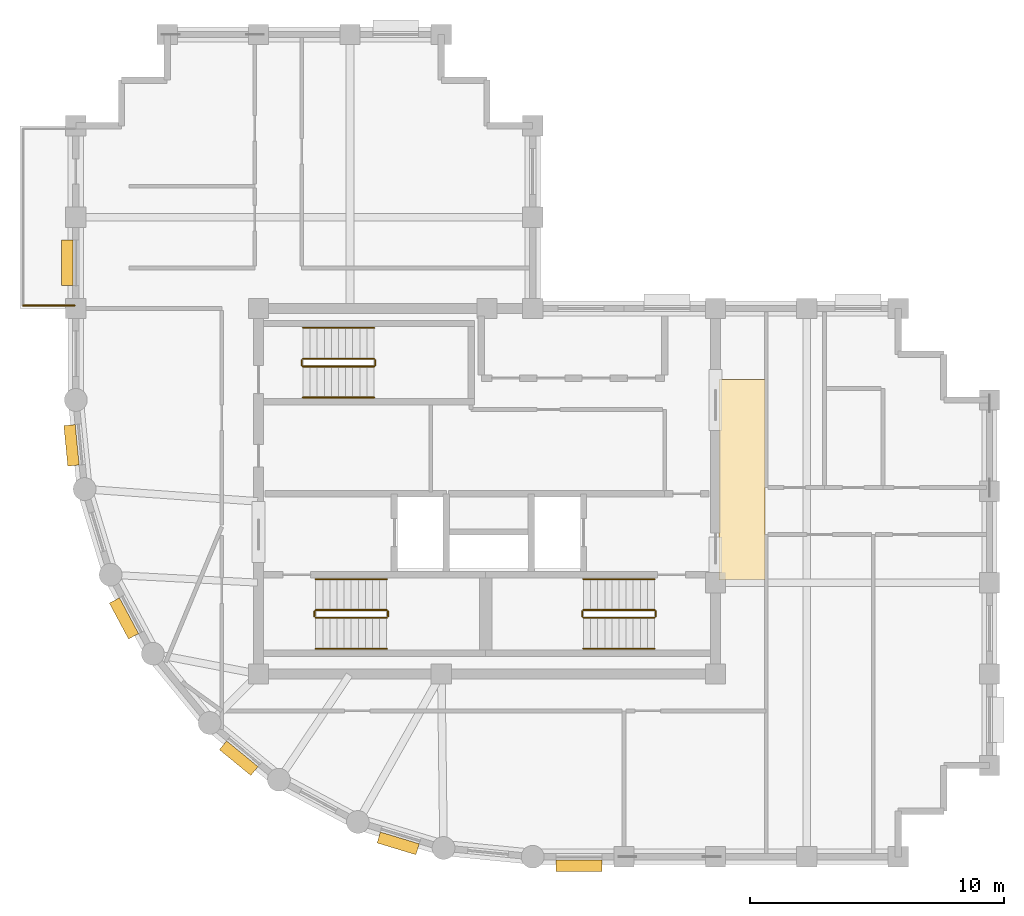
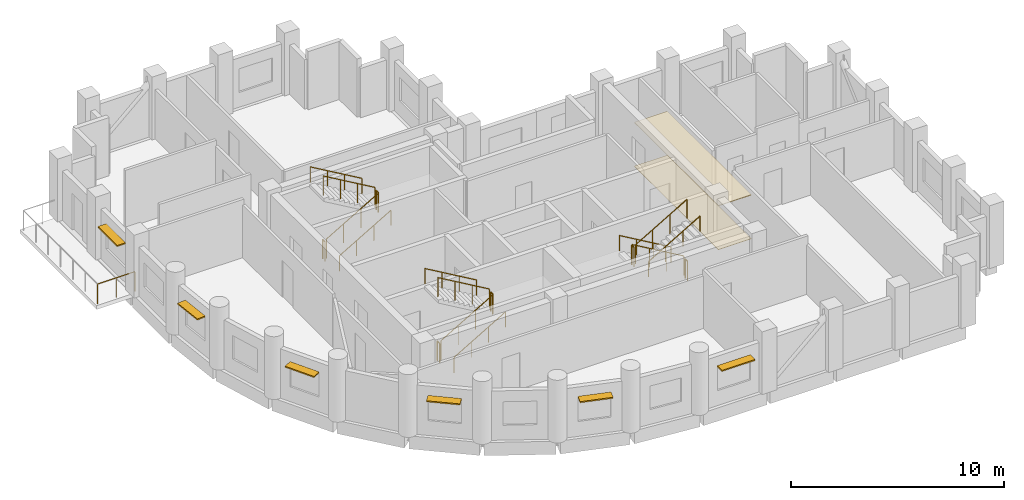
# One storey, part 6 of 7: 19 railings, 6 shading devices, 2 coverings.
"""IFC4 building model written with IfcOpenShell, lengths in metres."""

from ifc_helpers import new_model, si_unit, direction, frame, origin, origin_2d, place, context, subcontext, project, spatial, polyline, rectangle, circle, outline, extrude, material, layer, layer_set, type_object, element, save


model = new_model("IFC4")

# Units and contexts
model_context = context("Model", 3, precision=1e-05, world=origin(), true_north=direction((0.0, 1.0)))
body_context = subcontext(model_context, "Body", "Model", "MODEL_VIEW")
ifc_project = project(units=[si_unit("LENGTHUNIT", "METRE"), si_unit("AREAUNIT", "SQUARE_METRE"), si_unit("VOLUMEUNIT", "CUBIC_METRE"), si_unit("PLANEANGLEUNIT", "RADIAN"), si_unit("MASSUNIT", "GRAM", prefix="KILO")], contexts=[model_context])

# Site, building, storey
site_placement = place(None, origin())
site = spatial("IfcSite", under=ifc_project, at=site_placement, CompositionType="ELEMENT")
building_placement = place(site_placement, origin())
building = spatial("IfcBuilding", under=site, at=building_placement, Name="Solnavia Interchange Tower", CompositionType="ELEMENT")
storey_placement = place(building_placement, frame((0.0, 0.0, 266.60009765625)))
storey = spatial("IfcBuildingStorey", under=building, at=storey_placement, Name="L67", CompositionType="ELEMENT", Elevation=266.60009765625)

# Coverings
ifc_material_1 = material(Name="Perforated Mineral-Fibre & Gypsum Ceiling", Category="gypsum")
ifc_layer_1 = layer(ifc_material_1, 0.0400390625)
ifc_layer_set_1 = layer_set([ifc_layer_1], Name="Perforated Mineral-Fibre & Gypsum Ceiling")
covering_type_1 = type_object("IfcCoveringType", Name="Covering-Ceiling-Acoustic40", PredefinedType="CEILING", material=ifc_layer_set_1)
covering_1_placement = place(storey_placement, frame((0.0, 0.0, 2.5)))
element("IfcCovering", 1, at=covering_1_placement, inside=storey, type_object=covering_type_1, Name="CLG-L67-01 Circulation suspended acoustic ceiling", PredefinedType="CEILING", context=body_context, shape_type="SweptSolid", body=[
    extrude(outline(polyline([(32.550048828125, 14.5), (34.35009765625, 14.5), (34.35009765625, 22.39990234375), (32.550048828125, 22.39990234375), (32.550048828125, 14.5)])), origin(), (0.0, 0.0, 1.0), 0.039794921875),
])
ifc_material_2 = material(Name="Engineered European Oak Flooring", Category="wood")
ifc_layer_2 = layer(ifc_material_2, 0.02001953125)
ifc_layer_set_2 = layer_set([ifc_layer_2], Name="Engineered European Oak Flooring")
covering_type_2 = type_object("IfcCoveringType", Name="Covering-Flooring-Timber20", PredefinedType="FLOORING", material=ifc_layer_set_2)
covering_2_placement = place(storey_placement, origin())
element("IfcCovering", 2, at=covering_2_placement, inside=storey, type_object=covering_type_2, Name="FLR-L67-01 Circulation floor finish", PredefinedType="FLOORING", context=body_context, shape_type="SweptSolid", body=[
    extrude(outline(polyline([(32.550048828125, 14.5), (34.35009765625, 14.5), (34.35009765625, 22.39990234375), (32.550048828125, 22.39990234375), (32.550048828125, 14.5)])), origin(), (0.0, 0.0, 1.0), 0.02001953125),
])

# Railings
ifc_material_3 = material(Name="Painted Steel Balustrade", Category="steel")
railing_type_1 = type_object("IfcRailingType", Name="Railing-StairGuard-1100", PredefinedType="GUARDRAIL", material=ifc_material_3)
railing_1_placement = place(storey_placement, frame((16.64990234375, 13.02001953125, 0.16357421875)))
element("IfcRailing", 3, at=railing_1_placement, inside=storey, type_object=railing_type_1, Name="L67 ST-1 stair guard 1", PredefinedType="GUARDRAIL", context=body_context, shape_type="SweptSolid", body=[
    extrude(circle(Radius=0.02392578125, at=origin_2d()), frame((0.0, 0.0, 1.09619140625), z_axis=(0.863393664356, 0.0, 0.504530851732), x_axis=(0.0, 1.0, 0.0)), (0.0, 0.0, 1.0), 3.2431640625),
    extrude(circle(Radius=0.02099609375, at=origin_2d()), origin(), (0.0, 0.0, 1.0), 1.072021484375),
    extrude(circle(Radius=0.02099609375, at=origin_2d()), frame((0.933349609375, 0.0, 0.54541015625)), (0.0, 0.0, 1.0), 1.072021484375),
    extrude(circle(Radius=0.02099609375, at=origin_2d()), frame((1.86669921875, 0.0, 1.0908203125)), (0.0, 0.0, 1.0), 1.072021484375),
    extrude(circle(Radius=0.02099609375, at=origin_2d()), frame((2.800048828125, 0.0, 1.63623046875)), (0.0, 0.0, 1.0), 1.072021484375),
])
railing_2_placement = place(storey_placement, frame((19.5, 13.070068359375, 1.7998046875)))
element("IfcRailing", 4, at=railing_2_placement, inside=storey, type_object=railing_type_1, Name="L67 ST-1 stair guard 2", PredefinedType="GUARDRAIL", context=body_context, shape_type="SweptSolid", body=[
    extrude(circle(Radius=0.02392578125, at=origin_2d()), frame((0.0, 0.0, 1.09619140625), z_axis=(0.0, 1.0, 0.0), x_axis=(-1.0, 0.0, 0.0)), (0.0, 0.0, 1.0), 0.199951171875),
    extrude(circle(Radius=0.02099609375, at=origin_2d()), origin(), (0.0, 0.0, 1.0), 1.072021484375),
    extrude(circle(Radius=0.02099609375, at=origin_2d()), frame((0.0, 0.199951171875, 0.0)), (0.0, 0.0, 1.0), 1.072021484375),
])
railing_3_placement = place(storey_placement, frame((19.449951171875, 13.320068359375, 1.963623046875)))
element("IfcRailing", 5, at=railing_3_placement, inside=storey, type_object=railing_type_1, Name="L67 ST-1 stair guard 3", PredefinedType="GUARDRAIL", context=body_context, shape_type="SweptSolid", body=[
    extrude(circle(Radius=0.02392578125, at=origin_2d()), frame((0.0, 0.0, 1.09619140625), z_axis=(-0.863393664356, 0.0, 0.504530851732), x_axis=(0.0, -1.0, 0.0)), (0.0, 0.0, 1.0), 3.2431640625),
    extrude(circle(Radius=0.02099609375, at=origin_2d()), origin(), (0.0, 0.0, 1.0), 1.072021484375),
    extrude(circle(Radius=0.02099609375, at=origin_2d()), frame((-0.933349609375, 0.0, 0.54541015625)), (0.0, 0.0, 1.0), 1.072021484375),
    extrude(circle(Radius=0.02099609375, at=origin_2d()), frame((-1.86669921875, 0.0, 1.0908203125)), (0.0, 0.0, 1.0), 1.072021484375),
    extrude(circle(Radius=0.02099609375, at=origin_2d()), frame((-2.800048828125, 0.0, 1.63623046875)), (0.0, 0.0, 1.0), 1.072021484375),
])
railing_4_placement = place(storey_placement, frame((16.60009765625, 13.070068359375, 0.0)))
element("IfcRailing", 6, at=railing_4_placement, inside=storey, type_object=railing_type_1, Name="L67 ST-1 stair guard 4", PredefinedType="GUARDRAIL", context=body_context, shape_type="SweptSolid", body=[
    extrude(circle(Radius=0.02392578125, at=origin_2d()), frame((0.0, 0.0, 1.09619140625), z_axis=(0.0, 1.0, 0.0), x_axis=(-1.0, 0.0, 0.0)), (0.0, 0.0, 1.0), 0.199951171875),
    extrude(circle(Radius=0.02099609375, at=origin_2d()), origin(), (0.0, 0.0, 1.0), 1.072021484375),
    extrude(circle(Radius=0.02099609375, at=origin_2d()), frame((0.0, 0.199951171875, 0.0)), (0.0, 0.0, 1.0), 1.072021484375),
])
railing_5_placement = place(storey_placement, frame((30.0, 13.320068359375, 0.16357421875)))
element("IfcRailing", 7, at=railing_5_placement, inside=storey, type_object=railing_type_1, Name="L67 ST-2 stair guard 1", PredefinedType="GUARDRAIL", context=body_context, shape_type="SweptSolid", body=[
    extrude(circle(Radius=0.02392578125, at=origin_2d()), frame((0.0, 0.0, 1.09619140625), z_axis=(-0.863393664356, 0.0, 0.504530851732), x_axis=(0.0, -1.0, 0.0)), (0.0, 0.0, 1.0), 3.2431640625),
    extrude(circle(Radius=0.02099609375, at=origin_2d()), origin(), (0.0, 0.0, 1.0), 1.072021484375),
    extrude(circle(Radius=0.02099609375, at=origin_2d()), frame((-0.933349609375, 0.0, 0.54541015625)), (0.0, 0.0, 1.0), 1.072021484375),
    extrude(circle(Radius=0.02099609375, at=origin_2d()), frame((-1.86669921875, 0.0, 1.0908203125)), (0.0, 0.0, 1.0), 1.072021484375),
    extrude(circle(Radius=0.02099609375, at=origin_2d()), frame((-2.800048828125, 0.0, 1.63623046875)), (0.0, 0.0, 1.0), 1.072021484375),
])
railing_6_placement = place(storey_placement, frame((27.14990234375, 13.27001953125, 1.7998046875)))
element("IfcRailing", 8, at=railing_6_placement, inside=storey, type_object=railing_type_1, Name="L67 ST-2 stair guard 2", PredefinedType="GUARDRAIL", context=body_context, shape_type="SweptSolid", body=[
    extrude(circle(Radius=0.02392578125, at=origin_2d()), frame((0.0, 0.0, 1.09619140625), z_axis=(0.0, -1.0, 0.0), x_axis=(1.0, 0.0, 0.0)), (0.0, 0.0, 1.0), 0.199951171875),
    extrude(circle(Radius=0.02099609375, at=origin_2d()), origin(), (0.0, 0.0, 1.0), 1.072021484375),
    extrude(circle(Radius=0.02099609375, at=origin_2d()), frame((0.0, -0.199951171875, 0.0)), (0.0, 0.0, 1.0), 1.072021484375),
])
railing_7_placement = place(storey_placement, frame((27.199951171875, 13.02001953125, 1.963623046875)))
element("IfcRailing", 9, at=railing_7_placement, inside=storey, type_object=railing_type_1, Name="L67 ST-2 stair guard 3", PredefinedType="GUARDRAIL", context=body_context, shape_type="SweptSolid", body=[
    extrude(circle(Radius=0.02392578125, at=origin_2d()), frame((0.0, 0.0, 1.09619140625), z_axis=(0.863393664356, 0.0, 0.504530851732), x_axis=(0.0, 1.0, 0.0)), (0.0, 0.0, 1.0), 3.2431640625),
    extrude(circle(Radius=0.02099609375, at=origin_2d()), origin(), (0.0, 0.0, 1.0), 1.072021484375),
    extrude(circle(Radius=0.02099609375, at=origin_2d()), frame((0.933349609375, 0.0, 0.54541015625)), (0.0, 0.0, 1.0), 1.072021484375),
    extrude(circle(Radius=0.02099609375, at=origin_2d()), frame((1.86669921875, 0.0, 1.0908203125)), (0.0, 0.0, 1.0), 1.072021484375),
    extrude(circle(Radius=0.02099609375, at=origin_2d()), frame((2.800048828125, 0.0, 1.63623046875)), (0.0, 0.0, 1.0), 1.072021484375),
])
railing_8_placement = place(storey_placement, frame((30.050048828125, 13.27001953125, 0.0)))
element("IfcRailing", 10, at=railing_8_placement, inside=storey, type_object=railing_type_1, Name="L67 ST-2 stair guard 4", PredefinedType="GUARDRAIL", context=body_context, shape_type="SweptSolid", body=[
    extrude(circle(Radius=0.02392578125, at=origin_2d()), frame((0.0, 0.0, 1.09619140625), z_axis=(0.0, -1.0, 0.0), x_axis=(1.0, 0.0, 0.0)), (0.0, 0.0, 1.0), 0.199951171875),
    extrude(circle(Radius=0.02099609375, at=origin_2d()), origin(), (0.0, 0.0, 1.0), 1.072021484375),
    extrude(circle(Radius=0.02099609375, at=origin_2d()), frame((0.0, -0.199951171875, 0.0)), (0.0, 0.0, 1.0), 1.072021484375),
])
railing_9_placement = place(storey_placement, frame((16.14990234375, 22.919921875, 0.16357421875)))
element("IfcRailing", 11, at=railing_9_placement, inside=storey, type_object=railing_type_1, Name="L67 ST-3 stair guard 1", PredefinedType="GUARDRAIL", context=body_context, shape_type="SweptSolid", body=[
    extrude(circle(Radius=0.02392578125, at=origin_2d()), frame((0.0, 0.0, 1.09619140625), z_axis=(0.863393664356, 0.0, 0.504530851732), x_axis=(0.0, 1.0, 0.0)), (0.0, 0.0, 1.0), 3.2431640625),
    extrude(circle(Radius=0.02099609375, at=origin_2d()), origin(), (0.0, 0.0, 1.0), 1.072021484375),
    extrude(circle(Radius=0.02099609375, at=origin_2d()), frame((0.933349609375, 0.0, 0.54541015625)), (0.0, 0.0, 1.0), 1.072021484375),
    extrude(circle(Radius=0.02099609375, at=origin_2d()), frame((1.86669921875, 0.0, 1.0908203125)), (0.0, 0.0, 1.0), 1.072021484375),
    extrude(circle(Radius=0.02099609375, at=origin_2d()), frame((2.800048828125, 0.0, 1.63623046875)), (0.0, 0.0, 1.0), 1.072021484375),
])
railing_10_placement = place(storey_placement, frame((19.0, 22.969970703125, 1.7998046875)))
element("IfcRailing", 12, at=railing_10_placement, inside=storey, type_object=railing_type_1, Name="L67 ST-3 stair guard 2", PredefinedType="GUARDRAIL", context=body_context, shape_type="SweptSolid", body=[
    extrude(circle(Radius=0.02392578125, at=origin_2d()), frame((0.0, 0.0, 1.09619140625), z_axis=(0.0, 1.0, 0.0), x_axis=(-1.0, 0.0, 0.0)), (0.0, 0.0, 1.0), 0.199951171875),
    extrude(circle(Radius=0.02099609375, at=origin_2d()), origin(), (0.0, 0.0, 1.0), 1.072021484375),
    extrude(circle(Radius=0.02099609375, at=origin_2d()), frame((0.0, 0.199951171875, 0.0)), (0.0, 0.0, 1.0), 1.072021484375),
])
railing_11_placement = place(storey_placement, frame((18.949951171875, 23.219970703125, 1.963623046875)))
element("IfcRailing", 13, at=railing_11_placement, inside=storey, type_object=railing_type_1, Name="L67 ST-3 stair guard 3", PredefinedType="GUARDRAIL", context=body_context, shape_type="SweptSolid", body=[
    extrude(circle(Radius=0.02392578125, at=origin_2d()), frame((0.0, 0.0, 1.09619140625), z_axis=(-0.863393664356, 0.0, 0.504530851732), x_axis=(0.0, -1.0, 0.0)), (0.0, 0.0, 1.0), 3.2431640625),
    extrude(circle(Radius=0.02099609375, at=origin_2d()), origin(), (0.0, 0.0, 1.0), 1.072021484375),
    extrude(circle(Radius=0.02099609375, at=origin_2d()), frame((-0.933349609375, 0.0, 0.54541015625)), (0.0, 0.0, 1.0), 1.072021484375),
    extrude(circle(Radius=0.02099609375, at=origin_2d()), frame((-1.86669921875, 0.0, 1.0908203125)), (0.0, 0.0, 1.0), 1.072021484375),
    extrude(circle(Radius=0.02099609375, at=origin_2d()), frame((-2.800048828125, 0.0, 1.63623046875)), (0.0, 0.0, 1.0), 1.072021484375),
])
railing_12_placement = place(storey_placement, frame((16.10009765625, 22.969970703125, 0.0)))
element("IfcRailing", 14, at=railing_12_placement, inside=storey, type_object=railing_type_1, Name="L67 ST-3 stair guard 4", PredefinedType="GUARDRAIL", context=body_context, shape_type="SweptSolid", body=[
    extrude(circle(Radius=0.02392578125, at=origin_2d()), frame((0.0, 0.0, 1.09619140625), z_axis=(0.0, 1.0, 0.0), x_axis=(-1.0, 0.0, 0.0)), (0.0, 0.0, 1.0), 0.199951171875),
    extrude(circle(Radius=0.02099609375, at=origin_2d()), origin(), (0.0, 0.0, 1.0), 1.072021484375),
    extrude(circle(Radius=0.02099609375, at=origin_2d()), frame((0.0, 0.199951171875, 0.0)), (0.0, 0.0, 1.0), 1.072021484375),
])
ifc_material_4 = material(Name="Brushed Stainless Steel", Category="steel")
railing_type_2 = type_object("IfcRailingType", Name="Railing-StairHandrail-900", PredefinedType="HANDRAIL", material=ifc_material_4)
railing_13_placement = place(storey_placement, frame((16.64990234375, 11.800048828125, 0.16357421875)))
element("IfcRailing", 15, at=railing_13_placement, inside=storey, type_object=railing_type_2, Name="L67 ST-1 stair handrail 1", PredefinedType="HANDRAIL", context=body_context, shape_type="SweptSolid", body=[
    extrude(circle(Radius=0.02392578125, at=origin_2d()), frame((0.0, 0.0, 0.8759765625), z_axis=(0.863393664356, 0.0, 0.504530851732), x_axis=(0.0, 1.0, 0.0)), (0.0, 0.0, 1.0), 3.2431640625),
    extrude(circle(Radius=0.02099609375, at=origin_2d()), origin(), (0.0, 0.0, 1.0), 0.851806640625),
    extrude(circle(Radius=0.02099609375, at=origin_2d()), frame((0.933349609375, 0.0, 0.54541015625)), (0.0, 0.0, 1.0), 0.851806640625),
    extrude(circle(Radius=0.02099609375, at=origin_2d()), frame((1.86669921875, 0.0, 1.0908203125)), (0.0, 0.0, 1.0), 0.851806640625),
    extrude(circle(Radius=0.02099609375, at=origin_2d()), frame((2.800048828125, 0.0, 1.63623046875)), (0.0, 0.0, 1.0), 0.851806640625),
])
for number, where, name in (
    (16, (19.449951171875, 14.5400390625, 1.963623046875), "L67 ST-1 stair handrail 2"),
    (17, (30.0, 14.5400390625, 0.16357421875), "L67 ST-2 stair handrail 1"),
):
    element("IfcRailing", number, at=place(storey_placement, frame(where)), inside=storey, type_object=railing_type_2, Name=name, PredefinedType="HANDRAIL", context=body_context, shape_type="SweptSolid", body=[
        extrude(circle(Radius=0.02392578125, at=origin_2d()), frame((0.0, 0.0, 0.8759765625), z_axis=(-0.863393664356, 0.0, 0.504530851732), x_axis=(0.0, -1.0, 0.0)), (0.0, 0.0, 1.0), 3.2431640625),
        extrude(circle(Radius=0.02099609375, at=origin_2d()), origin(), (0.0, 0.0, 1.0), 0.851806640625),
        extrude(circle(Radius=0.02099609375, at=origin_2d()), frame((-0.933349609375, 0.0, 0.54541015625)), (0.0, 0.0, 1.0), 0.851806640625),
        extrude(circle(Radius=0.02099609375, at=origin_2d()), frame((-1.86669921875, 0.0, 1.0908203125)), (0.0, 0.0, 1.0), 0.851806640625),
        extrude(circle(Radius=0.02099609375, at=origin_2d()), frame((-2.800048828125, 0.0, 1.63623046875)), (0.0, 0.0, 1.0), 0.851806640625),
    ])
for number, where, name in (
    (18, (27.199951171875, 11.800048828125, 1.963623046875), "L67 ST-2 stair handrail 2"),
    (19, (16.14990234375, 21.699951171875, 0.16357421875), "L67 ST-3 stair handrail 1"),
):
    element("IfcRailing", number, at=place(storey_placement, frame(where)), inside=storey, type_object=railing_type_2, Name=name, PredefinedType="HANDRAIL", context=body_context, shape_type="SweptSolid", body=[
        extrude(circle(Radius=0.02392578125, at=origin_2d()), frame((0.0, 0.0, 0.8759765625), z_axis=(0.863393664356, 0.0, 0.504530851732), x_axis=(0.0, 1.0, 0.0)), (0.0, 0.0, 1.0), 3.2431640625),
        extrude(circle(Radius=0.02099609375, at=origin_2d()), origin(), (0.0, 0.0, 1.0), 0.851806640625),
        extrude(circle(Radius=0.02099609375, at=origin_2d()), frame((0.933349609375, 0.0, 0.54541015625)), (0.0, 0.0, 1.0), 0.851806640625),
        extrude(circle(Radius=0.02099609375, at=origin_2d()), frame((1.86669921875, 0.0, 1.0908203125)), (0.0, 0.0, 1.0), 0.851806640625),
        extrude(circle(Radius=0.02099609375, at=origin_2d()), frame((2.800048828125, 0.0, 1.63623046875)), (0.0, 0.0, 1.0), 0.851806640625),
    ])
railing_14_placement = place(storey_placement, frame((18.949951171875, 24.43994140625, 1.963623046875)))
element("IfcRailing", 20, at=railing_14_placement, inside=storey, type_object=railing_type_2, Name="L67 ST-3 stair handrail 2", PredefinedType="HANDRAIL", context=body_context, shape_type="SweptSolid", body=[
    extrude(circle(Radius=0.02392578125, at=origin_2d()), frame((0.0, 0.0, 0.8759765625), z_axis=(-0.863393664356, 0.0, 0.504530851732), x_axis=(0.0, -1.0, 0.0)), (0.0, 0.0, 1.0), 3.2431640625),
    extrude(circle(Radius=0.02099609375, at=origin_2d()), origin(), (0.0, 0.0, 1.0), 0.851806640625),
    extrude(circle(Radius=0.02099609375, at=origin_2d()), frame((-0.933349609375, 0.0, 0.54541015625)), (0.0, 0.0, 1.0), 0.851806640625),
    extrude(circle(Radius=0.02099609375, at=origin_2d()), frame((-1.86669921875, 0.0, 1.0908203125)), (0.0, 0.0, 1.0), 0.851806640625),
    extrude(circle(Radius=0.02099609375, at=origin_2d()), frame((-2.800048828125, 0.0, 1.63623046875)), (0.0, 0.0, 1.0), 0.851806640625),
])
ifc_material_5 = material(Name="Laminated Safety Glass & Stainless Steel", Category="steel")
railing_type_3 = type_object("IfcRailingType", Name="Railing-TerraceGuard-1150", PredefinedType="GUARDRAIL", material=ifc_material_5)
railing_15_placement = place(storey_placement, frame((7.14990234375, 25.320068359375, -0.0400390625)))
element("IfcRailing", 21, at=railing_15_placement, inside=storey, type_object=railing_type_3, Name="GRD-L67-TER-01 Perimeter terrace guardrail", PredefinedType="GUARDRAIL", context=body_context, shape_type="SweptSolid", body=[
    extrude(circle(Radius=0.02392578125, at=origin_2d()), frame((0.0, 0.0, 1.1259765625), z_axis=(-1.0, 0.0, 0.0), x_axis=(0.0, -1.0, 0.0)), (0.0, 0.0, 1.0), 2.02978515625),
    extrude(circle(Radius=0.02099609375, at=origin_2d()), origin(), (0.0, 0.0, 1.0), 1.101806640625),
    extrude(circle(Radius=0.02099609375, at=origin_2d()), frame((-1.014892578125, 0.0, 0.0)), (0.0, 0.0, 1.0), 1.101806640625),
    extrude(circle(Radius=0.02099609375, at=origin_2d()), frame((-2.02978515625, 0.0, 0.0)), (0.0, 0.0, 1.0), 1.101806640625),
])

# Shading devices
ifc_material_6 = material(Name="Anodised Aluminium Sunshade", Category="aluminium")
ifc_layer_3 = layer(ifc_material_6, 0.070068359375)
ifc_layer_set_3 = layer_set([ifc_layer_3], Name="Anodised Aluminium Sunshade")
shading_device_type = type_object("IfcShadingDeviceType", Name="Sunshade-Band-450", PredefinedType="JALOUSIE", material=ifc_layer_set_3)
for number, where, z_axis, x_axis, name in (
    (22, (27.02490234375, 3.2548828125, 2.22509765625), (0.0, 0.0, 1.0), (-1.0, 0.0, 0.0), "SHD-L67-01 Horizontal sunshade band"),
    (23, (6.85498046875, 27.0, 2.22509765625), (0.0, 0.0, 1.0), (0.0, 1.0, 0.0), "SHD-L67-35 Horizontal sunshade band"),
):
    element("IfcShadingDevice", number, at=place(storey_placement, frame(where, z_axis=z_axis, x_axis=x_axis)), inside=storey, type_object=shading_device_type, Name=name, PredefinedType="JALOUSIE", context=body_context, shape_type="SweptSolid", body=[
        extrude(rectangle(XDim=1.800048828125, YDim=0.449951171875, at=origin_2d()), origin(), (0.0, 0.0, 1.0), 0.070068359375),
    ])
for number, where, z_axis, x_axis, name in (
    (24, (7.029541015625, 19.810791015625, 2.22509765625), (0.0, 0.0, 1.0), (-0.098103986207, 0.995176169274, 0.0), "SHD-L67-37 Horizontal sunshade band"),
    (25, (9.097900390625, 12.992919921875, 2.22509765625), (0.0, 0.0, 1.0), (-0.47147369718, 0.881880123865, 0.0), "SHD-L67-39 Horizontal sunshade band"),
    (26, (13.617431640625, 7.486083984375, 2.22509765625), (0.0, 0.0, 1.0), (-0.773176510644, 0.634190888762, 0.0), "SHD-L67-41 Horizontal sunshade band"),
    (27, (19.89990234375, 4.1279296875, 2.22509765625), (0.0, 0.0, 1.0), (-0.956965664205, 0.290201167351, 0.0), "SHD-L67-43 Horizontal sunshade band"),
):
    element("IfcShadingDevice", number, at=place(storey_placement, frame(where, z_axis=z_axis, x_axis=x_axis)), inside=storey, type_object=shading_device_type, Name=name, PredefinedType="JALOUSIE", context=body_context, shape_type="SweptSolid", body=[
        extrude(rectangle(XDim=1.60009765625, YDim=0.449951171875, at=origin_2d()), origin(), (0.0, 0.0, 1.0), 0.070068359375),
    ])

save(model, "model.ifc")
